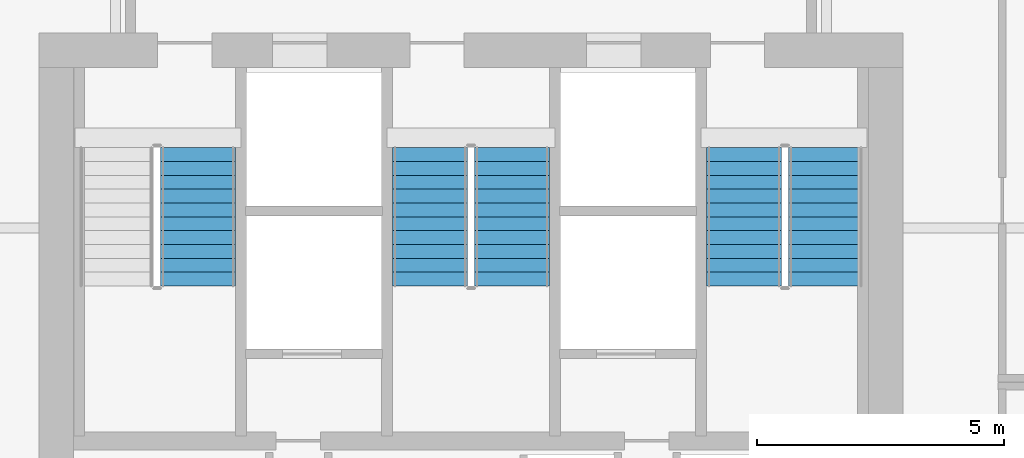
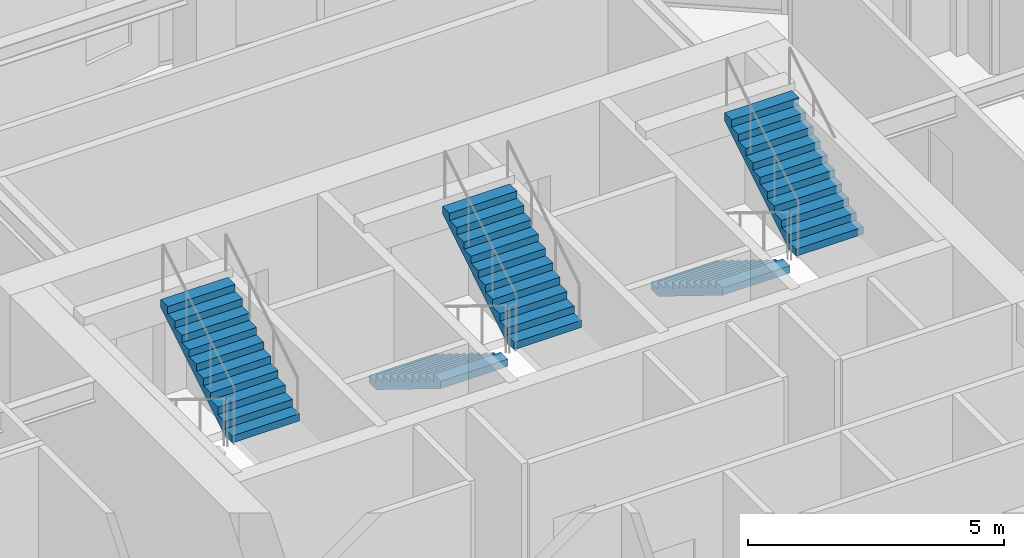
# One storey, part 11 of 13: 5 stair flights, 3 elements without a shape of their own.
"""IFC4 building model written with IfcOpenShell, lengths in metres."""

from ifc_helpers import new_model, si_unit, direction, frame, origin, place, context, subcontext, project, spatial, polyline, outline, extrude, material, type_object, element, aggregate, save


model = new_model("IFC4")

# Units and contexts
model_context = context("Model", 3, precision=1e-05, world=origin(), true_north=direction((0.0, 1.0)))
body_context = subcontext(model_context, "Body", "Model", "MODEL_VIEW")
ifc_project = project(units=[si_unit("LENGTHUNIT", "METRE"), si_unit("AREAUNIT", "SQUARE_METRE"), si_unit("VOLUMEUNIT", "CUBIC_METRE"), si_unit("PLANEANGLEUNIT", "RADIAN"), si_unit("MASSUNIT", "GRAM", prefix="KILO")], contexts=[model_context])

# Site, building, storey
site_placement = place(None, origin())
site = spatial("IfcSite", under=ifc_project, at=site_placement, CompositionType="ELEMENT")
building_placement = place(site_placement, origin())
building = spatial("IfcBuilding", under=site, at=building_placement, Name="Haolan Belvedere Tower", CompositionType="ELEMENT")
storey_placement = place(building_placement, frame((0.0, 0.0, 128.800048828125)))
storey = spatial("IfcBuildingStorey", under=building, at=storey_placement, Name="L32", CompositionType="ELEMENT", Elevation=128.800048828125)

# Stair, stair flight
ifc_material = material(Name="Concrete C40/50", Category="concrete")
stair_type = type_object("IfcStairType", Name="STR-DL-22R-173", PredefinedType="HALF_TURN_STAIR", material=ifc_material)
stair_1_placement = place(storey_placement, origin())
stair_1 = element("IfcStair", 1, at=stair_1_placement, inside=storey, type_object=stair_type, Name="L32 Smokeproof Core Exit Stair ST1", PredefinedType="HALF_TURN_STAIR")
stair_flight_type = type_object("IfcStairFlightType", Name="SFL-DL-11R-173", PredefinedType="STRAIGHT", material=ifc_material)
stair_flight_1_placement = place(storey_placement, frame((32.8701171875, 38.429931640625, 1.89990234375), z_axis=(0.0, 0.0, 1.0), x_axis=(0.0, 1.0, 0.0)))
stair_flight_1 = element("IfcStairFlight", 2, at=stair_flight_1_placement, type_object=stair_flight_type, Name="ST1 flight 2", NumberOfRisers=11, NumberOfTreads=10, PredefinedType="STRAIGHT", RiserHeight=0.172727273, TreadLength=0.28, context=body_context, shape_type="SweptSolid", body=[
    extrude(outline(polyline([(0.0, 0.0), (0.0, 0.172607421875), (0.280029296875, 0.172607421875), (0.280029296875, 0.345458984375), (0.56005859375, 0.345458984375), (0.56005859375, 0.51806640625), (0.840087890625, 0.51806640625), (0.840087890625, 0.69091796875), (1.1201171875, 0.69091796875), (1.1201171875, 0.863525390625), (1.39990234375, 0.863525390625), (1.39990234375, 1.036376953125), (1.679931640625, 1.036376953125), (1.679931640625, 1.208984375), (1.9599609375, 1.208984375), (1.9599609375, 1.3818359375), (2.239990234375, 1.3818359375), (2.239990234375, 1.554443359375), (2.52001953125, 1.554443359375), (2.52001953125, 1.727294921875), (2.800048828125, 1.727294921875), (2.800048828125, 1.89990234375), (2.800048828125, 1.551025390625), (0.285400390625, 0.0), (0.0, 0.0)])), frame((0.0, 0.760009765625, 0.0), z_axis=(0.0, -1.0, 0.0), x_axis=(1.0, 0.0, 0.0)), (0.0, 0.0, 1.0), 1.52001953125),
])
aggregate(stair_1, [stair_flight_1])

# Stair, stair flights
stair_2_placement = place(storey_placement, origin())
stair_2 = element("IfcStair", 3, at=stair_2_placement, inside=storey, type_object=stair_type, Name="L32 Smokeproof Core Exit Stair ST3", PredefinedType="HALF_TURN_STAIR")
stair_flight_2_placement = place(storey_placement, frame((37.570068359375, 41.22998046875, 0.0), z_axis=(0.0, 0.0, 1.0), x_axis=(0.0, -1.0, 0.0)))
stair_flight_2 = element("IfcStairFlight", 4, at=stair_flight_2_placement, type_object=stair_flight_type, Name="ST3 flight 1", NumberOfRisers=11, NumberOfTreads=10, PredefinedType="STRAIGHT", RiserHeight=0.172727273, TreadLength=0.28, context=body_context, shape_type="SweptSolid", body=[
    extrude(outline(polyline([(0.0, 0.0), (0.0, 0.172607421875), (0.280029296875, 0.172607421875), (0.280029296875, 0.345458984375), (0.56005859375, 0.345458984375), (0.56005859375, 0.51806640625), (0.840087890625, 0.51806640625), (0.840087890625, 0.69091796875), (1.1201171875, 0.69091796875), (1.1201171875, 0.863525390625), (1.39990234375, 0.863525390625), (1.39990234375, 1.036376953125), (1.679931640625, 1.036376953125), (1.679931640625, 1.208984375), (1.9599609375, 1.208984375), (1.9599609375, 1.3818359375), (2.239990234375, 1.3818359375), (2.239990234375, 1.554443359375), (2.52001953125, 1.554443359375), (2.52001953125, 1.727294921875), (2.800048828125, 1.727294921875), (2.800048828125, 1.89990234375), (2.800048828125, 1.551025390625), (0.285400390625, 0.0), (0.0, 0.0)])), frame((0.0, 0.760009765625, 0.0), z_axis=(0.0, -1.0, 0.0), x_axis=(1.0, 0.0, 0.0)), (0.0, 0.0, 1.0), 1.52001953125),
])
stair_flight_3_placement = place(storey_placement, frame((39.22998046875, 38.429931640625, 1.89990234375), z_axis=(0.0, 0.0, 1.0), x_axis=(0.0, 1.0, 0.0)))
stair_flight_3 = element("IfcStairFlight", 5, at=stair_flight_3_placement, type_object=stair_flight_type, Name="ST3 flight 2", NumberOfRisers=11, NumberOfTreads=10, PredefinedType="STRAIGHT", RiserHeight=0.172727273, TreadLength=0.28, context=body_context, shape_type="SweptSolid", body=[
    extrude(outline(polyline([(0.0, 0.0), (0.0, 0.172607421875), (0.280029296875, 0.172607421875), (0.280029296875, 0.345458984375), (0.56005859375, 0.345458984375), (0.56005859375, 0.51806640625), (0.840087890625, 0.51806640625), (0.840087890625, 0.69091796875), (1.1201171875, 0.69091796875), (1.1201171875, 0.863525390625), (1.39990234375, 0.863525390625), (1.39990234375, 1.036376953125), (1.679931640625, 1.036376953125), (1.679931640625, 1.208984375), (1.9599609375, 1.208984375), (1.9599609375, 1.3818359375), (2.239990234375, 1.3818359375), (2.239990234375, 1.554443359375), (2.52001953125, 1.554443359375), (2.52001953125, 1.727294921875), (2.800048828125, 1.727294921875), (2.800048828125, 1.89990234375), (2.800048828125, 1.551025390625), (0.285400390625, 0.0), (0.0, 0.0)])), frame((0.0, 0.760009765625, 0.0), z_axis=(0.0, -1.0, 0.0), x_axis=(1.0, 0.0, 0.0)), (0.0, 0.0, 1.0), 1.52001953125),
])
aggregate(stair_2, [stair_flight_2, stair_flight_3])

stair_3_placement = place(storey_placement, origin())
stair_3 = element("IfcStair", 6, at=stair_3_placement, inside=storey, type_object=stair_type, Name="L32 Smokeproof Core Exit Stair ST2", PredefinedType="HALF_TURN_STAIR")
stair_flight_4_placement = place(storey_placement, frame((43.929931640625, 41.22998046875, 0.0), z_axis=(0.0, 0.0, 1.0), x_axis=(0.0, -1.0, 0.0)))
stair_flight_4 = element("IfcStairFlight", 7, at=stair_flight_4_placement, type_object=stair_flight_type, Name="ST2 flight 1", NumberOfRisers=11, NumberOfTreads=10, PredefinedType="STRAIGHT", RiserHeight=0.172727273, TreadLength=0.28, context=body_context, shape_type="SweptSolid", body=[
    extrude(outline(polyline([(0.0, 0.0), (0.0, 0.172607421875), (0.280029296875, 0.172607421875), (0.280029296875, 0.345458984375), (0.56005859375, 0.345458984375), (0.56005859375, 0.51806640625), (0.840087890625, 0.51806640625), (0.840087890625, 0.69091796875), (1.1201171875, 0.69091796875), (1.1201171875, 0.863525390625), (1.39990234375, 0.863525390625), (1.39990234375, 1.036376953125), (1.679931640625, 1.036376953125), (1.679931640625, 1.208984375), (1.9599609375, 1.208984375), (1.9599609375, 1.3818359375), (2.239990234375, 1.3818359375), (2.239990234375, 1.554443359375), (2.52001953125, 1.554443359375), (2.52001953125, 1.727294921875), (2.800048828125, 1.727294921875), (2.800048828125, 1.89990234375), (2.800048828125, 1.551025390625), (0.285400390625, 0.0), (0.0, 0.0)])), frame((0.0, 0.760009765625, 0.0), z_axis=(0.0, -1.0, 0.0), x_axis=(1.0, 0.0, 0.0)), (0.0, 0.0, 1.0), 1.52001953125),
])
stair_flight_5_placement = place(storey_placement, frame((45.590087890625, 38.429931640625, 1.89990234375), z_axis=(0.0, 0.0, 1.0), x_axis=(0.0, 1.0, 0.0)))
stair_flight_5 = element("IfcStairFlight", 8, at=stair_flight_5_placement, type_object=stair_flight_type, Name="ST2 flight 2", NumberOfRisers=11, NumberOfTreads=10, PredefinedType="STRAIGHT", RiserHeight=0.172727273, TreadLength=0.28, context=body_context, shape_type="SweptSolid", body=[
    extrude(outline(polyline([(0.0, 0.0), (0.0, 0.172607421875), (0.280029296875, 0.172607421875), (0.280029296875, 0.345458984375), (0.56005859375, 0.345458984375), (0.56005859375, 0.51806640625), (0.840087890625, 0.51806640625), (0.840087890625, 0.69091796875), (1.1201171875, 0.69091796875), (1.1201171875, 0.863525390625), (1.39990234375, 0.863525390625), (1.39990234375, 1.036376953125), (1.679931640625, 1.036376953125), (1.679931640625, 1.208984375), (1.9599609375, 1.208984375), (1.9599609375, 1.3818359375), (2.239990234375, 1.3818359375), (2.239990234375, 1.554443359375), (2.52001953125, 1.554443359375), (2.52001953125, 1.727294921875), (2.800048828125, 1.727294921875), (2.800048828125, 1.89990234375), (2.800048828125, 1.551025390625), (0.285400390625, 0.0), (0.0, 0.0)])), frame((0.0, 0.760009765625, 0.0), z_axis=(0.0, -1.0, 0.0), x_axis=(1.0, 0.0, 0.0)), (0.0, 0.0, 1.0), 1.52001953125),
])
aggregate(stair_3, [stair_flight_4, stair_flight_5])

save(model, "model.ifc")
